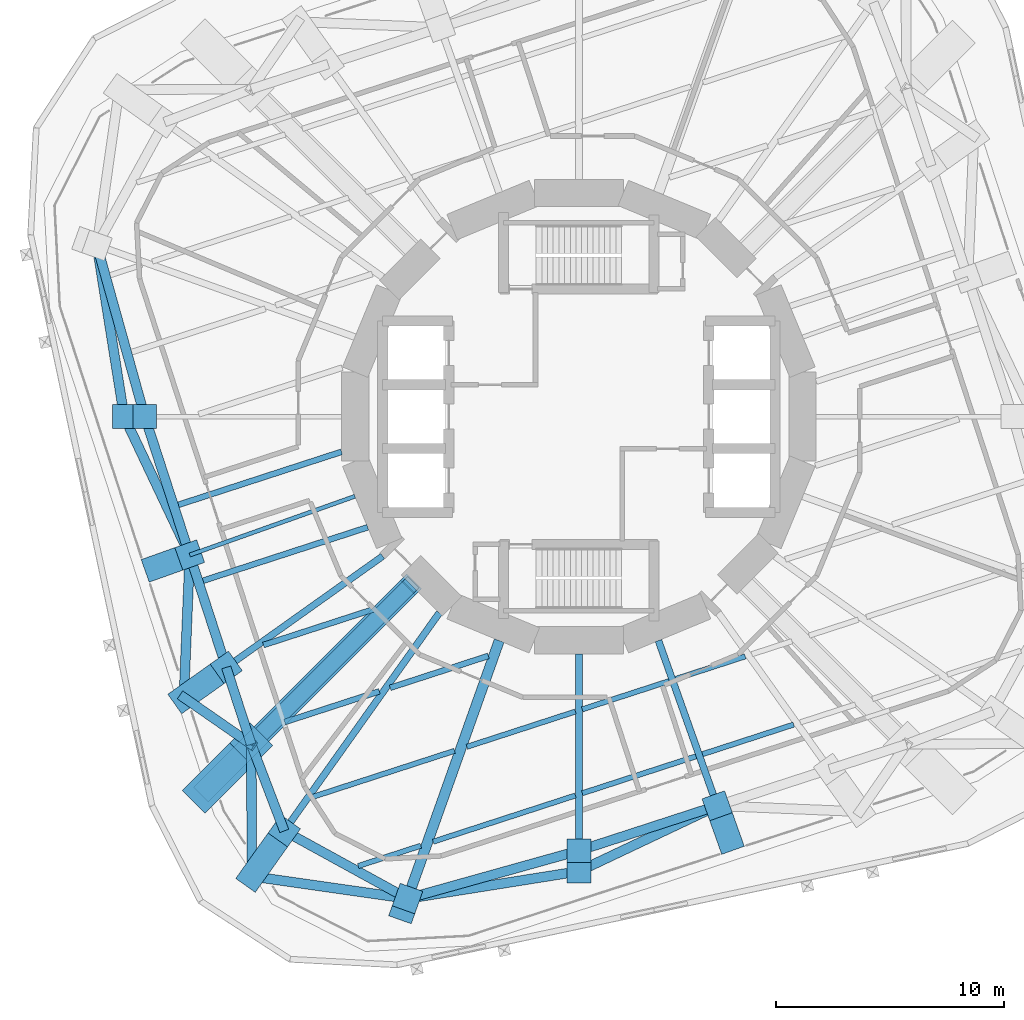
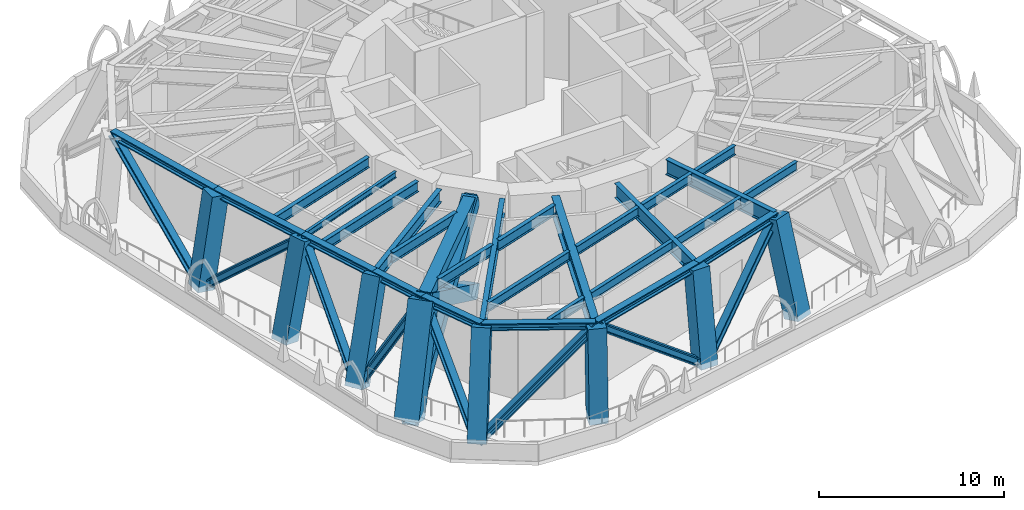
# One storey, part 1 of 11: 27 members, 19 beams.
"""IFC4 building model written with IfcOpenShell, lengths in metres."""

from ifc_helpers import new_model, si_unit, direction, frame, origin, origin_2d, place, context, subcontext, project, spatial, rectangle, hollow_rectangle, i_section, extrude, material, material_profile, profile_set, type_object, element, save


model = new_model("IFC4")

# Units and contexts
model_context = context("Model", 3, precision=1e-05, world=origin(), true_north=direction((0.0, 1.0)))
body_context = subcontext(model_context, "Body", "Model", "MODEL_VIEW")
ifc_project = project(units=[si_unit("LENGTHUNIT", "METRE"), si_unit("AREAUNIT", "SQUARE_METRE"), si_unit("VOLUMEUNIT", "CUBIC_METRE"), si_unit("PLANEANGLEUNIT", "RADIAN"), si_unit("MASSUNIT", "GRAM", prefix="KILO")], contexts=[model_context])

# Site, building, storey
site_placement = place(None, origin())
site = spatial("IfcSite", under=ifc_project, at=site_placement, CompositionType="ELEMENT")
building_placement = place(site_placement, origin())
building = spatial("IfcBuilding", under=site, at=building_placement, Name="Nakasero Lantern House", CompositionType="ELEMENT")
storey_placement = place(building_placement, frame((0.0, 0.0, 135.800048828125)))
storey = spatial("IfcBuildingStorey", under=building, at=storey_placement, Name="L33", CompositionType="ELEMENT", Elevation=135.800048828125)

# Members
ifc_material_1 = material(Name="Steel S355", Category="steel")
ifc_material_profile_1 = material_profile(ifc_material_1, i_section(OverallWidth=0.41845703125, OverallDepth=0.45556640625, WebThickness=0.0419921875, FlangeThickness=0.0673828125, FilletRadius=0.01513671875, at=origin_2d()), Name="UC 356x406x551")
ifc_profile_set_1 = profile_set([ifc_material_profile_1], Name="Steel S355")
member_type_1 = type_object("IfcMemberType", Name="Belt truss chord UC 356x406x551", PredefinedType="CHORD", material=ifc_profile_set_1)
member_1_placement = place(storey_placement, frame((-21.129638671875, 7.5126953125, 5.572265625), z_axis=(0.268986696047, -0.963143892339, 0.0), x_axis=(0.963143892339, 0.268986696047, 0.0)))
element("IfcMember", 1, at=member_1_placement, inside=storey, type_object=member_type_1, Name="Belt truss top chord T3 B4-C14T", PredefinedType="CHORD", context=body_context, shape_type="SweptSolid", body=[
    extrude(i_section(OverallWidth=0.41845703125, OverallDepth=0.45556640625, WebThickness=0.0419921875, FlangeThickness=0.0673828125, FilletRadius=0.01513671875, at=origin_2d()), origin(), (0.0, 0.0, 1.0), 7.80029296875),
])
member_2_placement = place(storey_placement, frame((-19.031494140625, 0.0, 5.572265625), z_axis=(0.309018560274, -0.951056007502, 0.0), x_axis=(0.951056007502, 0.309018560274, 0.0)))
element("IfcMember", 2, at=member_2_placement, inside=storey, type_object=member_type_1, Name="Belt truss top chord T3 B4-C15T", PredefinedType="CHORD", context=body_context, shape_type="SweptSolid", body=[
    extrude(i_section(OverallWidth=0.41845703125, OverallDepth=0.45556640625, WebThickness=0.0419921875, FlangeThickness=0.0673828125, FilletRadius=0.01513671875, at=origin_2d()), origin(), (0.0, 0.0, 1.0), 6.378173828125),
])
member_3_placement = place(storey_placement, frame((-17.060546875, -6.06591796875, 5.572265625), z_axis=(0.309023207396, -0.95105449754, 0.0), x_axis=(0.95105449754, 0.309023207396, 0.0)))
element("IfcMember", 3, at=member_3_placement, inside=storey, type_object=member_type_1, Name="Belt truss top chord T3 B4-C16T", PredefinedType="CHORD", context=body_context, shape_type="SweptSolid", body=[
    extrude(i_section(OverallWidth=0.41845703125, OverallDepth=0.45556640625, WebThickness=0.0419921875, FlangeThickness=0.0673828125, FilletRadius=0.01513671875, at=origin_2d()), origin(), (0.0, 0.0, 1.0), 5.18115234375),
])
member_4_placement = place(storey_placement, frame((-15.45947265625, -10.993408203125, 5.572265625), z_axis=(0.309006636447, -0.951059881727, 0.0), x_axis=(0.951059881727, 0.309006636447, 0.0)))
element("IfcMember", 4, at=member_4_placement, inside=storey, type_object=member_type_1, Name="Belt truss top chord T3 B4-C17T", PredefinedType="CHORD", context=body_context, shape_type="SweptSolid", body=[
    extrude(i_section(OverallWidth=0.41845703125, OverallDepth=0.45556640625, WebThickness=0.0419921875, FlangeThickness=0.0673828125, FilletRadius=0.01513671875, at=origin_2d()), origin(), (0.0, 0.0, 1.0), 3.544189453125),
])
member_5_placement = place(storey_placement, frame((-14.3642578125, -14.3642578125, 5.572265625), z_axis=(0.35622505813, -0.934400186194, 0.0), x_axis=(0.934400186194, 0.35622505813, 0.0)))
element("IfcMember", 5, at=member_5_placement, inside=storey, type_object=member_type_1, Name="Belt truss top chord T3 B4-C18T", PredefinedType="CHORD", context=body_context, shape_type="SweptSolid", body=[
    extrude(i_section(OverallWidth=0.41845703125, OverallDepth=0.45556640625, WebThickness=0.0419921875, FlangeThickness=0.0673828125, FilletRadius=0.01513671875, at=origin_2d()), origin(), (0.0, 0.0, 1.0), 4.0654296875),
])
member_6_placement = place(storey_placement, frame((-12.916015625, -18.1630859375, 5.572265625), z_axis=(0.876576912681, -0.481261795861, 0.0), x_axis=(0.481261795861, 0.876576912681, 0.0)))
element("IfcMember", 6, at=member_6_placement, inside=storey, type_object=member_type_1, Name="Belt truss top chord T3 B4-C19T", PredefinedType="CHORD", context=body_context, shape_type="SweptSolid", body=[
    extrude(i_section(OverallWidth=0.41845703125, OverallDepth=0.45556640625, WebThickness=0.0419921875, FlangeThickness=0.0673828125, FilletRadius=0.01513671875, at=origin_2d()), origin(), (0.0, 0.0, 1.0), 6.1640625),
])
member_7_placement = place(storey_placement, frame((-7.5126953125, -21.129638671875, 5.572265625), z_axis=(0.963143892339, 0.268986696047, 0.0), x_axis=(-0.268986696047, 0.963143892339, 0.0)))
element("IfcMember", 7, at=member_7_placement, inside=storey, type_object=member_type_1, Name="Belt truss top chord T3 B4-C20T", PredefinedType="CHORD", context=body_context, shape_type="SweptSolid", body=[
    extrude(i_section(OverallWidth=0.41845703125, OverallDepth=0.45556640625, WebThickness=0.0419921875, FlangeThickness=0.0673828125, FilletRadius=0.01513671875, at=origin_2d()), origin(), (0.0, 0.0, 1.0), 7.80029296875),
])
member_8_placement = place(storey_placement, frame((0.0, -19.031494140625, 5.572265625), z_axis=(0.951056007502, 0.309018560274, 0.0), x_axis=(-0.309018560274, 0.951056007502, 0.0)))
element("IfcMember", 8, at=member_8_placement, inside=storey, type_object=member_type_1, Name="Belt truss top chord T3 B4-C21T", PredefinedType="CHORD", context=body_context, shape_type="SweptSolid", body=[
    extrude(i_section(OverallWidth=0.41845703125, OverallDepth=0.45556640625, WebThickness=0.0419921875, FlangeThickness=0.0673828125, FilletRadius=0.01513671875, at=origin_2d()), origin(), (0.0, 0.0, 1.0), 6.378173828125),
])
ifc_material_2 = material(Name="Steel S355", Category="steel")
ifc_material_profile_2 = material_profile(ifc_material_2, i_section(OverallWidth=0.424072265625, OverallDepth=0.474609375, WebThickness=0.047607421875, FlangeThickness=0.076904296875, FilletRadius=0.01513671875, at=origin_2d()), Name="UC 356x406x634")
ifc_profile_set_2 = profile_set([ifc_material_profile_2], Name="Steel S355")
member_type_2 = type_object("IfcMemberType", Name="Belt truss diagonal UC 356x406x634", PredefinedType="BRACE", material=ifc_profile_set_2)
member_9_placement = place(storey_placement, frame((-21.129638671875, 7.5126953125, 5.572265625), z_axis=(0.123248751124, -0.775426409651, -0.61929284556), x_axis=(0.987602931798, 0.156972765482, 0.0)))
element("IfcMember", 9, at=member_9_placement, inside=storey, type_object=member_type_2, Name="Belt truss diagonal T3-14", PredefinedType="BRACE", context=body_context, shape_type="SweptSolid", body=[
    extrude(i_section(OverallWidth=0.424072265625, OverallDepth=0.474609375, WebThickness=0.047607421875, FlangeThickness=0.076904296875, FilletRadius=0.01513671875, at=origin_2d()), origin(), (0.0, 0.0, 1.0), 9.6884765625),
])
member_10_placement = place(storey_placement, frame((-19.935546875, 0.0, -0.427734375), z_axis=(0.319324255666, -0.673737300974, 0.666415837911), x_axis=(0.903641543307, 0.42828957635, 0.0)))
element("IfcMember", 10, at=member_10_placement, inside=storey, type_object=member_type_2, Name="Belt truss diagonal T3-15", PredefinedType="BRACE", context=body_context, shape_type="SweptSolid", body=[
    extrude(i_section(OverallWidth=0.424072265625, OverallDepth=0.474609375, WebThickness=0.047607421875, FlangeThickness=0.076904296875, FilletRadius=0.01513671875, at=origin_2d()), origin(), (0.0, 0.0, 1.0), 9.00341796875),
])
member_11_placement = place(storey_placement, frame((-17.060546875, -6.06591796875, 5.572265625), z_axis=(-0.02971833324, -0.721014651765, -0.692282234793), x_axis=(0.99915164467, -0.041182410733, 0.0)))
element("IfcMember", 11, at=member_11_placement, inside=storey, type_object=member_type_2, Name="Belt truss diagonal T3-16", PredefinedType="BRACE", context=body_context, shape_type="SweptSolid", body=[
    extrude(i_section(OverallWidth=0.424072265625, OverallDepth=0.474609375, WebThickness=0.047607421875, FlangeThickness=0.076904296875, FilletRadius=0.01513671875, at=origin_2d()), origin(), (0.0, 0.0, 1.0), 8.6669921875),
])
member_12_placement = place(storey_placement, frame((-17.318115234375, -12.31494140625, -0.427734375), z_axis=(0.422303069917, -0.292983880394, 0.857799838522), x_axis=(0.570025417693, 0.821627058454, 0.0)))
element("IfcMember", 12, at=member_12_placement, inside=storey, type_object=member_type_2, Name="Belt truss diagonal T3-17", PredefinedType="BRACE", context=body_context, shape_type="SweptSolid", body=[
    extrude(i_section(OverallWidth=0.424072265625, OverallDepth=0.474609375, WebThickness=0.047607421875, FlangeThickness=0.076904296875, FilletRadius=0.01513671875, at=origin_2d()), origin(), (0.0, 0.0, 1.0), 6.99462890625),
])
member_13_placement = place(storey_placement, frame((-14.3642578125, -14.3642578125, 5.572265625), z_axis=(0.003688653835, -0.694520822143, -0.719463148078), x_axis=(0.999985896527, 0.005311002485, 0.0)))
element("IfcMember", 13, at=member_13_placement, inside=storey, type_object=member_type_2, Name="Belt truss diagonal T3-18", PredefinedType="BRACE", context=body_context, shape_type="SweptSolid", body=[
    extrude(i_section(OverallWidth=0.424072265625, OverallDepth=0.474609375, WebThickness=0.047607421875, FlangeThickness=0.076904296875, FilletRadius=0.01513671875, at=origin_2d()), origin(), (0.0, 0.0, 1.0), 8.339599609375),
])
member_14_placement = place(storey_placement, frame((-14.33349609375, -20.15625, -0.427734375), z_axis=(0.746565736537, -0.106541541684, 0.656725590276), x_axis=(0.141277490532, 0.989970035238, 0.0)))
element("IfcMember", 14, at=member_14_placement, inside=storey, type_object=member_type_2, Name="Belt truss diagonal T3-19", PredefinedType="BRACE", context=body_context, shape_type="SweptSolid", body=[
    extrude(i_section(OverallWidth=0.424072265625, OverallDepth=0.474609375, WebThickness=0.047607421875, FlangeThickness=0.076904296875, FilletRadius=0.01513671875, at=origin_2d()), origin(), (0.0, 0.0, 1.0), 9.13623046875),
])
member_15_placement = place(storey_placement, frame((-7.5126953125, -21.129638671875, 5.572265625), z_axis=(0.775426409651, 0.123248751124, -0.61929284556), x_axis=(-0.156972765482, 0.987602931798, 0.0)))
element("IfcMember", 15, at=member_15_placement, inside=storey, type_object=member_type_2, Name="Belt truss diagonal T3-20", PredefinedType="BRACE", context=body_context, shape_type="SweptSolid", body=[
    extrude(i_section(OverallWidth=0.424072265625, OverallDepth=0.474609375, WebThickness=0.047607421875, FlangeThickness=0.076904296875, FilletRadius=0.01513671875, at=origin_2d()), origin(), (0.0, 0.0, 1.0), 9.6884765625),
])
member_16_placement = place(storey_placement, frame((0.0, -19.935546875, -0.427734375), z_axis=(0.673737300974, 0.319324255666, 0.666415837911), x_axis=(-0.42828957635, 0.903641543307, 0.0)))
element("IfcMember", 16, at=member_16_placement, inside=storey, type_object=member_type_2, Name="Belt truss diagonal T3-21", PredefinedType="BRACE", context=body_context, shape_type="SweptSolid", body=[
    extrude(i_section(OverallWidth=0.424072265625, OverallDepth=0.474609375, WebThickness=0.047607421875, FlangeThickness=0.076904296875, FilletRadius=0.01513671875, at=origin_2d()), origin(), (0.0, 0.0, 1.0), 9.00341796875),
])

# Beams
ifc_material_3 = material(Name="Steel S355", Category="steel")
ifc_material_profile_3 = material_profile(ifc_material_3, i_section(OverallWidth=0.22900390625, OverallDepth=0.6123046875, WebThickness=0.011962890625, FlangeThickness=0.01953125, FilletRadius=0.0126953125, at=origin_2d()), Name="UB 610x229x125")
ifc_profile_set_3 = profile_set([ifc_material_profile_3], Name="Steel S355")
beam_type_1 = type_object("IfcBeamType", Name="Infill beam UB 610x229x125", PredefinedType="JOIST", material=ifc_profile_set_3)
beam_1_placement = place(storey_placement, frame((-9.674560546875, -19.7041015625, 5.493896484375), z_axis=(0.951039658273, 0.309068873217, 0.0), x_axis=(-0.309068873217, 0.951039658273, 0.0)))
element("IfcBeam", 17, at=beam_1_placement, inside=storey, type_object=beam_type_1, Name="Infill beam L34 03.1", PredefinedType="JOIST", context=body_context, shape_type="SweptSolid", body=[
    extrude(i_section(OverallWidth=0.22900390625, OverallDepth=0.6123046875, WebThickness=0.011962890625, FlangeThickness=0.01953125, FilletRadius=0.0126953125, at=origin_2d()), origin(), (0.0, 0.0, 1.0), 2.888671875),
])
beam_2_placement = place(storey_placement, frame((-6.38720703125, -18.635986328125, 5.493896484375), z_axis=(0.951057045808, 0.309015364696, 0.0), x_axis=(-0.309015364696, 0.951057045808, 0.0)))
element("IfcBeam", 18, at=beam_2_placement, inside=storey, type_object=beam_type_1, Name="Infill beam L34 03.2", PredefinedType="JOIST", context=body_context, shape_type="SweptSolid", body=[
    extrude(i_section(OverallWidth=0.22900390625, OverallDepth=0.6123046875, WebThickness=0.011962890625, FlangeThickness=0.01953125, FilletRadius=0.0126953125, at=origin_2d()), origin(), (0.0, 0.0, 1.0), 6.558349609375),
])
beam_3_placement = place(storey_placement, frame((0.14990234375, -16.51171875, 5.493896484375), z_axis=(0.951063496788, 0.308995509802, 0.0), x_axis=(-0.308995509802, 0.951063496788, 0.0)))
element("IfcBeam", 19, at=beam_3_placement, inside=storey, type_object=beam_type_1, Name="Infill beam L34 03.3", PredefinedType="JOIST", context=body_context, shape_type="SweptSolid", body=[
    extrude(i_section(OverallWidth=0.22900390625, OverallDepth=0.6123046875, WebThickness=0.011962890625, FlangeThickness=0.01953125, FilletRadius=0.0126953125, at=origin_2d()), origin(), (0.0, 0.0, 1.0), 5.242431640625),
])
beam_4_placement = place(storey_placement, frame((5.421142578125, -14.799072265625, 5.493896484375), z_axis=(0.951065210332, 0.308990235601, 0.0), x_axis=(-0.308990235601, 0.951065210332, 0.0)))
element("IfcBeam", 20, at=beam_4_placement, inside=storey, type_object=beam_type_1, Name="Infill beam L34 03.4", PredefinedType="JOIST", context=body_context, shape_type="SweptSolid", body=[
    extrude(i_section(OverallWidth=0.22900390625, OverallDepth=0.6123046875, WebThickness=0.011962890625, FlangeThickness=0.01953125, FilletRadius=0.0126953125, at=origin_2d()), origin(), (0.0, 0.0, 1.0), 4.205078125),
])
beam_5_placement = place(storey_placement, frame((-11.67236328125, -16.6728515625, 5.493896484375), z_axis=(0.95106558978, 0.308989067666, 0.0), x_axis=(-0.308989067666, 0.95106558978, 0.0)))
element("IfcBeam", 21, at=beam_5_placement, inside=storey, type_object=beam_type_1, Name="Infill beam L34 04.1", PredefinedType="JOIST", context=body_context, shape_type="SweptSolid", body=[
    extrude(i_section(OverallWidth=0.22900390625, OverallDepth=0.6123046875, WebThickness=0.011962890625, FlangeThickness=0.01953125, FilletRadius=0.0126953125, at=origin_2d()), origin(), (0.0, 0.0, 1.0), 6.544677734375),
])
beam_6_placement = place(storey_placement, frame((-4.907958984375, -14.47509765625, 5.493896484375), z_axis=(0.951061678684, 0.309001105723, 0.0), x_axis=(-0.309001105723, 0.951061678684, 0.0)))
element("IfcBeam", 22, at=beam_6_placement, inside=storey, type_object=beam_type_1, Name="Infill beam L34 04.2", PredefinedType="JOIST", context=body_context, shape_type="SweptSolid", body=[
    extrude(i_section(OverallWidth=0.22900390625, OverallDepth=0.6123046875, WebThickness=0.011962890625, FlangeThickness=0.01953125, FilletRadius=0.0126953125, at=origin_2d()), origin(), (0.0, 0.0, 1.0), 5.0029296875),
])
beam_7_placement = place(storey_placement, frame((0.14990234375, -12.831787109375, 5.493896484375), z_axis=(0.951043466337, 0.30905715513, 0.0), x_axis=(-0.30905715513, 0.951043466337, 0.0)))
element("IfcBeam", 23, at=beam_7_placement, inside=storey, type_object=beam_type_1, Name="Infill beam L34 04.3", PredefinedType="JOIST", context=body_context, shape_type="SweptSolid", body=[
    extrude(i_section(OverallWidth=0.22900390625, OverallDepth=0.6123046875, WebThickness=0.011962890625, FlangeThickness=0.01953125, FilletRadius=0.0126953125, at=origin_2d()), origin(), (0.0, 0.0, 1.0), 4.009033203125),
])
beam_8_placement = place(storey_placement, frame((4.248046875, -11.5, 5.493896484375), z_axis=(0.951071586985, 0.308970607712, 0.0), x_axis=(-0.308970607712, 0.951071586985, 0.0)))
element("IfcBeam", 24, at=beam_8_placement, inside=storey, type_object=beam_type_1, Name="Infill beam L34 04.4", PredefinedType="JOIST", context=body_context, shape_type="SweptSolid", body=[
    extrude(i_section(OverallWidth=0.22900390625, OverallDepth=0.6123046875, WebThickness=0.011962890625, FlangeThickness=0.01953125, FilletRadius=0.0126953125, at=origin_2d()), origin(), (0.0, 0.0, 1.0), 3.203369140625),
])
ifc_material_4 = material(Name="Steel S355", Category="steel")
ifc_material_profile_4 = material_profile(ifc_material_4, i_section(OverallWidth=0.253662109375, OverallDepth=0.68359375, WebThickness=0.012451171875, FlangeThickness=0.01904296875, FilletRadius=0.01513671875, at=origin_2d()), Name="UB 686x254x140")
ifc_profile_set_4 = profile_set([ifc_material_profile_4], Name="Steel S355")
beam_type_2 = type_object("IfcBeamType", Name="Infill beam UB 686x254x140", PredefinedType="JOIST", material=ifc_profile_set_4)
beam_9_placement = place(storey_placement, frame((-12.895263671875, -13.39013671875, 5.458251953125), z_axis=(0.951057515265, 0.309013919846, 0.0), x_axis=(-0.309013919846, 0.951057515265, 0.0)))
element("IfcBeam", 25, at=beam_9_placement, inside=storey, type_object=beam_type_2, Name="Infill beam L34 05.1", PredefinedType="JOIST", context=body_context, shape_type="SweptSolid", body=[
    extrude(i_section(OverallWidth=0.253662109375, OverallDepth=0.68359375, WebThickness=0.012451171875, FlangeThickness=0.01904296875, FilletRadius=0.01513671875, at=origin_2d()), origin(), (0.0, 0.0, 1.0), 4.361083984375),
])
beam_10_placement = place(storey_placement, frame((-8.26904296875, -11.886962890625, 5.458251953125), z_axis=(0.951063822327, 0.308994507816, 0.0), x_axis=(-0.308994507816, 0.951063822327, 0.0)))
element("IfcBeam", 26, at=beam_10_placement, inside=storey, type_object=beam_type_2, Name="Infill beam L34 05.2", PredefinedType="JOIST", context=body_context, shape_type="SweptSolid", body=[
    extrude(i_section(OverallWidth=0.253662109375, OverallDepth=0.68359375, WebThickness=0.012451171875, FlangeThickness=0.01904296875, FilletRadius=0.01513671875, at=origin_2d()), origin(), (0.0, 0.0, 1.0), 4.521728515625),
])
beam_11_placement = place(storey_placement, frame((-13.829345703125, -10.013671875, 5.458251953125), z_axis=(0.951053838393, 0.30902523599, 0.0), x_axis=(-0.30902523599, 0.951053838393, 0.0)))
element("IfcBeam", 27, at=beam_11_placement, inside=storey, type_object=beam_type_2, Name="Infill beam L34 06.1", PredefinedType="JOIST", context=body_context, shape_type="SweptSolid", body=[
    extrude(i_section(OverallWidth=0.253662109375, OverallDepth=0.68359375, WebThickness=0.012451171875, FlangeThickness=0.01904296875, FilletRadius=0.01513671875, at=origin_2d()), origin(), (0.0, 0.0, 1.0), 5.17236328125),
])
ifc_material_5 = material(Name="Steel S355", Category="steel")
ifc_material_profile_5 = material_profile(ifc_material_5, i_section(OverallWidth=0.255859375, OverallDepth=0.69287109375, WebThickness=0.014404296875, FlangeThickness=0.023681640625, FilletRadius=0.01513671875, at=origin_2d()), Name="UB 686x254x170")
ifc_profile_set_5 = profile_set([ifc_material_profile_5], Name="Steel S355")
beam_type_3 = type_object("IfcBeamType", Name="Infill beam UB 686x254x170", PredefinedType="JOIST", material=ifc_profile_set_5)
beam_12_placement = place(storey_placement, frame((-16.474365234375, -7.19287109375, 5.45361328125), z_axis=(0.951056054311, 0.309018416212, 0.0), x_axis=(-0.309018416212, 0.951056054311, 0.0)))
element("IfcBeam", 28, at=beam_12_placement, inside=storey, type_object=beam_type_3, Name="Infill beam L34 07.1", PredefinedType="JOIST", context=body_context, shape_type="SweptSolid", body=[
    extrude(i_section(OverallWidth=0.255859375, OverallDepth=0.69287109375, WebThickness=0.014404296875, FlangeThickness=0.023681640625, FilletRadius=0.01513671875, at=origin_2d()), origin(), (0.0, 0.0, 1.0), 7.58837890625),
])
beam_13_placement = place(storey_placement, frame((-17.555908203125, -3.8642578125, 5.45361328125), z_axis=(0.951056505472, 0.309017027685, 0.0), x_axis=(-0.309017027685, 0.951056505472, 0.0)))
element("IfcBeam", 29, at=beam_13_placement, inside=storey, type_object=beam_type_3, Name="Infill beam L34 08.1", PredefinedType="JOIST", context=body_context, shape_type="SweptSolid", body=[
    extrude(i_section(OverallWidth=0.255859375, OverallDepth=0.69287109375, WebThickness=0.014404296875, FlangeThickness=0.023681640625, FilletRadius=0.01513671875, at=origin_2d()), origin(), (0.0, 0.0, 1.0), 7.515869140625),
])

# Members
ifc_material_6 = material(Name="Steel S355", Category="steel")
ifc_material_profile_6 = material_profile(ifc_material_6, hollow_rectangle(XDim=0.699951171875, YDim=0.699951171875, WallThickness=0.050048828125, at=origin_2d()), Name="BOX 700x700x50")
ifc_profile_set_6 = profile_set([ifc_material_profile_6], Name="Steel S355")
member_type_3 = type_object("IfcMemberType", Name="Outrigger chord BOX 700x700x50", PredefinedType="CHORD", material=ifc_profile_set_6)
member_17_placement = place(storey_placement, frame((-14.3642578125, -14.3642578125, 5.449951171875), z_axis=(0.707106781187, 0.707106781187, 0.0), x_axis=(-0.707106781187, 0.707106781187, 0.0)))
element("IfcMember", 30, at=member_17_placement, inside=storey, type_object=member_type_3, Name="Outrigger chord L34 B4-C18T", PredefinedType="CHORD", context=body_context, shape_type="SweptSolid", body=[
    extrude(hollow_rectangle(XDim=0.699951171875, YDim=0.699951171875, WallThickness=0.050048828125, at=origin_2d()), origin(), (0.0, 0.0, 1.0), 9.906494140625),
])
ifc_material_7 = material(Name="Steel S355", Category="steel")
ifc_material_profile_7 = material_profile(ifc_material_7, hollow_rectangle(XDim=0.89990234375, YDim=0.89990234375, WallThickness=0.10009765625, at=origin_2d()), Name="BOX 900x900x100")
ifc_profile_set_7 = profile_set([ifc_material_profile_7], Name="Steel S355")
member_type_4 = type_object("IfcMemberType", Name="Outrigger diagonal BOX 900x900x100", PredefinedType="BRACE", material=ifc_profile_set_7)
member_18_placement = place(storey_placement, frame((-7.394775390625, -7.394775390625, -0.550048828125), z_axis=(-0.603996233112, -0.603996233112, 0.519977981047), x_axis=(0.707106781187, -0.707106781187, 0.0)))
element("IfcMember", 31, at=member_18_placement, inside=storey, type_object=member_type_4, Name="Outrigger diagonal L33 18 rising", PredefinedType="BRACE", context=body_context, shape_type="SweptSolid", body=[
    extrude(hollow_rectangle(XDim=0.89990234375, YDim=0.89990234375, WallThickness=0.10009765625, at=origin_2d()), origin(), (0.0, 0.0, 1.0), 11.5390625),
])
member_19_placement = place(storey_placement, frame((-7.359375, -7.359375, 5.449951171875), z_axis=(-0.640644179164, -0.640644179164, -0.423261233054), x_axis=(0.707106781187, -0.707106781187, 0.0)))
element("IfcMember", 32, at=member_19_placement, inside=storey, type_object=member_type_4, Name="Outrigger diagonal L33 18 falling", PredefinedType="BRACE", context=body_context, shape_type="SweptSolid", body=[
    extrude(hollow_rectangle(XDim=0.89990234375, YDim=0.89990234375, WallThickness=0.10009765625, at=origin_2d()), origin(), (0.0, 0.0, 1.0), 14.175537109375),
])

# Beams
ifc_material_8 = material(Name="Steel S355", Category="steel")
ifc_material_profile_8 = material_profile(ifc_material_8, i_section(OverallWidth=0.449951171875, OverallDepth=1.199951171875, WebThickness=0.02490234375, FlangeThickness=0.06005859375, at=origin_2d()), Name="PG 1200x450x636")
ifc_profile_set_8 = profile_set([ifc_material_profile_8], Name="Steel S355")
beam_type_4 = type_object("IfcBeamType", Name="Primary beam PG 1200x450x636, span 12 to 15 m", PredefinedType="BEAM", material=ifc_profile_set_8)
beam_14_placement = place(storey_placement, frame((-7.5126953125, -21.129638671875, 5.199951171875), z_axis=(0.335012877559, 0.942213548974, 0.0), x_axis=(-0.942213548974, 0.335012877559, 0.0)))
element("IfcBeam", 33, at=beam_14_placement, inside=storey, type_object=beam_type_4, Name="Primary beam L34 B4-C20T", PredefinedType="BEAM", context=body_context, shape_type="SweptSolid", body=[
    extrude(i_section(OverallWidth=0.449951171875, OverallDepth=1.199951171875, WebThickness=0.02490234375, FlangeThickness=0.06005859375, at=origin_2d()), origin(), (0.0, 0.0, 1.0), 12.00390625),
])
ifc_material_9 = material(Name="Steel S355", Category="steel")
ifc_material_profile_9 = material_profile(ifc_material_9, i_section(OverallWidth=0.300048828125, OverallDepth=0.97998046875, WebThickness=0.0166015625, FlangeThickness=0.02587890625, FilletRadius=0.030029296875, at=origin_2d()), Name="UB 1016x305x249")
ifc_profile_set_9 = profile_set([ifc_material_profile_9], Name="Steel S355")
beam_type_5 = type_object("IfcBeamType", Name="Primary beam UB 1016x305x249, span 6 to 9 m", PredefinedType="BEAM", material=ifc_profile_set_9)
beam_15_placement = place(storey_placement, frame((0.0, -19.031494140625, 5.309814453125), z_axis=(0.0, 1.0, 0.0), x_axis=(-1.0, 0.0, 0.0)))
element("IfcBeam", 34, at=beam_15_placement, inside=storey, type_object=beam_type_5, Name="Primary beam L34 B4-C21T", PredefinedType="BEAM", context=body_context, shape_type="SweptSolid", body=[
    extrude(i_section(OverallWidth=0.300048828125, OverallDepth=0.97998046875, WebThickness=0.0166015625, FlangeThickness=0.02587890625, FilletRadius=0.030029296875, at=origin_2d()), origin(), (0.0, 0.0, 1.0), 8.62353515625),
])
ifc_material_10 = material(Name="Steel S355", Category="steel")
ifc_material_profile_10 = material_profile(ifc_material_10, i_section(OverallWidth=0.300048828125, OverallDepth=0.97998046875, WebThickness=0.0166015625, FlangeThickness=0.02587890625, FilletRadius=0.030029296875, at=origin_2d()), Name="UB 1016x305x249")
ifc_profile_set_10 = profile_set([ifc_material_profile_10], Name="Steel S355")
beam_type_6 = type_object("IfcBeamType", Name="Primary beam UB 1016x305x249, span 9 to 12 m", PredefinedType="BEAM", material=ifc_profile_set_10)
beam_16_placement = place(storey_placement, frame((-12.916015625, -18.1630859375, 5.309814453125), z_axis=(0.579530236062, 0.814950738075, 0.0), x_axis=(-0.814950738075, 0.579530236062, 0.0)))
element("IfcBeam", 35, at=beam_16_placement, inside=storey, type_object=beam_type_6, Name="Primary beam L34 B4-C19T", PredefinedType="BEAM", context=body_context, shape_type="SweptSolid", body=[
    extrude(i_section(OverallWidth=0.300048828125, OverallDepth=0.97998046875, WebThickness=0.0166015625, FlangeThickness=0.02587890625, FilletRadius=0.030029296875, at=origin_2d()), origin(), (0.0, 0.0, 1.0), 11.73193359375),
])
ifc_material_11 = material(Name="Steel S355", Category="steel")
ifc_material_profile_11 = material_profile(ifc_material_11, i_section(OverallWidth=0.300048828125, OverallDepth=1.0, WebThickness=0.01904296875, FlangeThickness=0.035888671875, FilletRadius=0.030029296875, at=origin_2d()), Name="UB 1016x305x314")
ifc_profile_set_11 = profile_set([ifc_material_profile_11], Name="Steel S355")
beam_type_7 = type_object("IfcBeamType", Name="Primary beam UB 1016x305x314, span 6 to 9 m", PredefinedType="BEAM", material=ifc_profile_set_11)
beam_17_placement = place(storey_placement, frame((6.06591796875, -17.060546875, 5.300048828125), z_axis=(-0.335015934723, 0.942212461965, 0.0), x_axis=(-0.942212461965, -0.335015934723, 0.0)))
element("IfcBeam", 36, at=beam_17_placement, inside=storey, type_object=beam_type_7, Name="Primary beam L34 B4-C22T", PredefinedType="BEAM", context=body_context, shape_type="SweptSolid", body=[
    extrude(i_section(OverallWidth=0.300048828125, OverallDepth=1.0, WebThickness=0.01904296875, FlangeThickness=0.035888671875, FilletRadius=0.030029296875, at=origin_2d()), origin(), (0.0, 0.0, 1.0), 7.685302734375),
])
ifc_material_12 = material(Name="Steel S355", Category="steel")
ifc_material_profile_12 = material_profile(ifc_material_12, i_section(OverallWidth=0.177978515625, OverallDepth=0.406494140625, WebThickness=0.0078125, FlangeThickness=0.0126953125, FilletRadius=0.01025390625, at=origin_2d()), Name="UB 406x178x60")
ifc_profile_set_12 = profile_set([ifc_material_profile_12], Name="Steel S355")
beam_type_8 = type_object("IfcBeamType", Name="Primary beam UB 406x178x60, span 6 to 9 m", PredefinedType="BEAM", material=ifc_profile_set_12)
beam_18_placement = place(storey_placement, frame((-17.060546875, -6.06591796875, 5.5966796875), z_axis=(0.942212461965, 0.335015934723, 0.0), x_axis=(-0.335015934723, 0.942212461965, 0.0)))
element("IfcBeam", 37, at=beam_18_placement, inside=storey, type_object=beam_type_8, Name="Primary beam L34 B4-C16T", PredefinedType="BEAM", context=body_context, shape_type="SweptSolid", body=[
    extrude(i_section(OverallWidth=0.177978515625, OverallDepth=0.406494140625, WebThickness=0.0078125, FlangeThickness=0.0126953125, FilletRadius=0.01025390625, at=origin_2d()), origin(), (0.0, 0.0, 1.0), 7.685302734375),
])
ifc_material_13 = material(Name="Steel S355", Category="steel")
ifc_material_profile_13 = material_profile(ifc_material_13, i_section(OverallWidth=0.29248046875, OverallDepth=0.8408203125, WebThickness=0.0146484375, FlangeThickness=0.02685546875, FilletRadius=0.017822265625, at=origin_2d()), Name="UB 838x292x194")
ifc_profile_set_13 = profile_set([ifc_material_profile_13], Name="Steel S355")
beam_type_9 = type_object("IfcBeamType", Name="Primary beam UB 838x292x194, span 6 to 9 m", PredefinedType="BEAM", material=ifc_profile_set_13)
beam_19_placement = place(storey_placement, frame((-15.45947265625, -10.993408203125, 5.379638671875), z_axis=(0.81495106139, 0.579529781409, 0.0), x_axis=(-0.579529781409, 0.81495106139, 0.0)))
element("IfcBeam", 38, at=beam_19_placement, inside=storey, type_object=beam_type_9, Name="Primary beam L34 B4-C17T", PredefinedType="BEAM", context=body_context, shape_type="SweptSolid", body=[
    extrude(i_section(OverallWidth=0.29248046875, OverallDepth=0.8408203125, WebThickness=0.0146484375, FlangeThickness=0.02685546875, FilletRadius=0.017822265625, at=origin_2d()), origin(), (0.0, 0.0, 1.0), 8.41455078125),
])

# Members
ifc_material_14 = material(Name="Concrete C50/60", Category="concrete")
ifc_material_profile_14 = material_profile(ifc_material_14, rectangle(XDim=1.050048828125, YDim=1.050048828125, at=origin_2d()), Name="RC 1050x1050")
ifc_profile_set_14 = profile_set([ifc_material_profile_14], Name="Concrete C50/60")
member_type_5 = type_object("IfcMemberType", Name="Raking column RC 1050x1050 C50/60", PredefinedType="STRUT", material=ifc_profile_set_14)
member_20_placement = place(storey_placement, frame((-19.935546875, 0.0, -0.427734375), z_axis=(0.14899363954, 0.0, 0.988838154288), x_axis=(0.0, 1.0, 0.0)))
element("IfcMember", 39, at=member_20_placement, inside=storey, type_object=member_type_5, Name="Raking column B4-C15T L33", PredefinedType="STRUT", context=body_context, shape_type="SweptSolid", body=[
    extrude(rectangle(XDim=1.050048828125, YDim=1.050048828125, at=origin_2d()), origin(), (0.0, 0.0, 1.0), 6.067626953125),
])
member_21_placement = place(storey_placement, frame((-18.534912109375, -6.590087890625, -0.427734375), z_axis=(0.237774535403, 0.084534182399, 0.967634870352), x_axis=(-0.334981965, 0.942224539653, 0.0)))
element("IfcMember", 40, at=member_21_placement, inside=storey, type_object=member_type_5, Name="Raking column B4-C16T L33", PredefinedType="STRUT", context=body_context, shape_type="SweptSolid", body=[
    extrude(rectangle(XDim=1.050048828125, YDim=1.050048828125, at=origin_2d()), origin(), (0.0, 0.0, 1.0), 6.20068359375),
])
member_22_placement = place(storey_placement, frame((-17.318115234375, -12.31494140625, -0.427734375), z_axis=(0.289562282612, 0.20588475447, 0.934754059828), x_axis=(-0.57947480593, 0.814990152881, 0.0)))
element("IfcMember", 41, at=member_22_placement, inside=storey, type_object=member_type_5, Name="Raking column B4-C17T L33", PredefinedType="STRUT", context=body_context, shape_type="SweptSolid", body=[
    extrude(rectangle(XDim=1.050048828125, YDim=1.050048828125, at=origin_2d()), origin(), (0.0, 0.0, 1.0), 6.418701171875),
])
member_23_placement = place(storey_placement, frame((-14.33349609375, -20.15625, -0.427734375), z_axis=(0.218768989121, 0.307617986081, 0.92601906246), x_axis=(-0.814932275897, 0.57955619719, 0.0)))
element("IfcMember", 42, at=member_23_placement, inside=storey, type_object=member_type_5, Name="Raking column B4-C19T L33", PredefinedType="STRUT", context=body_context, shape_type="SweptSolid", body=[
    extrude(rectangle(XDim=1.050048828125, YDim=1.050048828125, at=origin_2d()), origin(), (0.0, 0.0, 1.0), 6.479248046875),
])
member_24_placement = place(storey_placement, frame((-7.667724609375, -21.5654296875, -0.427734375), z_axis=(0.025761778459, 0.072416967793, 0.997041680947), x_axis=(-0.942159141664, 0.335165857119, 0.0)))
element("IfcMember", 43, at=member_24_placement, inside=storey, type_object=member_type_5, Name="Raking column B4-C20T L33", PredefinedType="STRUT", context=body_context, shape_type="SweptSolid", body=[
    extrude(rectangle(XDim=1.050048828125, YDim=1.050048828125, at=origin_2d()), origin(), (0.0, 0.0, 1.0), 6.017822265625),
])
member_25_placement = place(storey_placement, frame((0.0, -19.935546875, -0.427734375), z_axis=(0.0, 0.14899363954, 0.988838154288), x_axis=(-1.0, 0.0, 0.0)))
element("IfcMember", 44, at=member_25_placement, inside=storey, type_object=member_type_5, Name="Raking column B4-C21T L33", PredefinedType="STRUT", context=body_context, shape_type="SweptSolid", body=[
    extrude(rectangle(XDim=1.050048828125, YDim=1.050048828125, at=origin_2d()), origin(), (0.0, 0.0, 1.0), 6.067626953125),
])
member_26_placement = place(storey_placement, frame((6.590087890625, -18.534912109375, -0.427734375), z_axis=(-0.084534182399, 0.237774535403, 0.967634870352), x_axis=(-0.942224539653, -0.334981965, 0.0)))
element("IfcMember", 45, at=member_26_placement, inside=storey, type_object=member_type_5, Name="Raking column B4-C22T L33", PredefinedType="STRUT", context=body_context, shape_type="SweptSolid", body=[
    extrude(rectangle(XDim=1.050048828125, YDim=1.050048828125, at=origin_2d()), origin(), (0.0, 0.0, 1.0), 6.20068359375),
])
ifc_material_15 = material(Name="Concrete C50/60", Category="concrete")
ifc_material_profile_15 = material_profile(ifc_material_15, rectangle(XDim=1.39990234375, YDim=1.39990234375, at=origin_2d()), Name="RC 1400x1400")
ifc_profile_set_15 = profile_set([ifc_material_profile_15], Name="Concrete C50/60")
member_type_6 = type_object("IfcMemberType", Name="Raking column RC 1400x1400 C50/60", PredefinedType="STRUT", material=ifc_profile_set_15)
member_27_placement = place(storey_placement, frame((-16.44091796875, -16.44091796875, -0.427734375), z_axis=(0.310868091155, 0.310868091155, 0.898177075973), x_axis=(-0.707106781187, 0.707106781187, 0.0)))
element("IfcMember", 46, at=member_27_placement, inside=storey, type_object=member_type_6, Name="Raking column B4-C18T L33", PredefinedType="STRUT", context=body_context, shape_type="SweptSolid", body=[
    extrude(rectangle(XDim=1.39990234375, YDim=1.39990234375, at=origin_2d()), origin(), (0.0, 0.0, 1.0), 6.68017578125),
])

save(model, "model.ifc")
